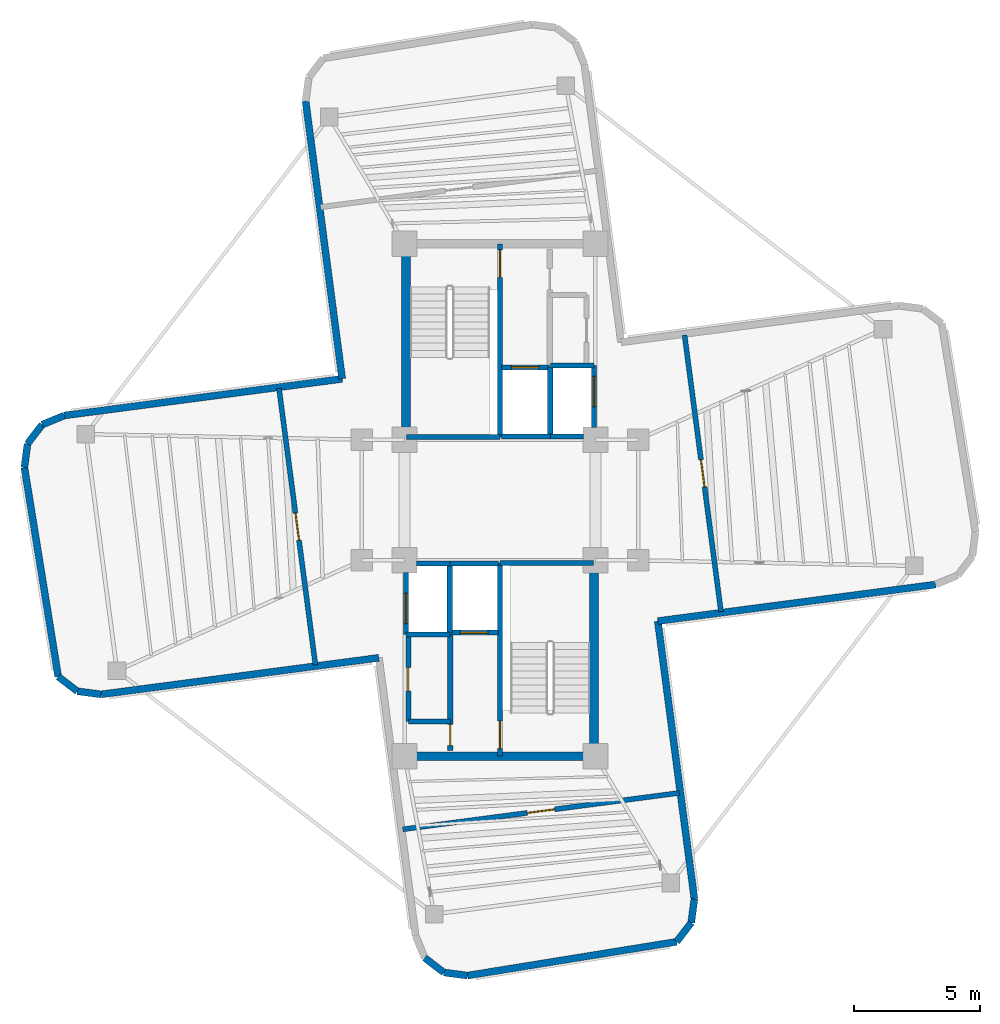
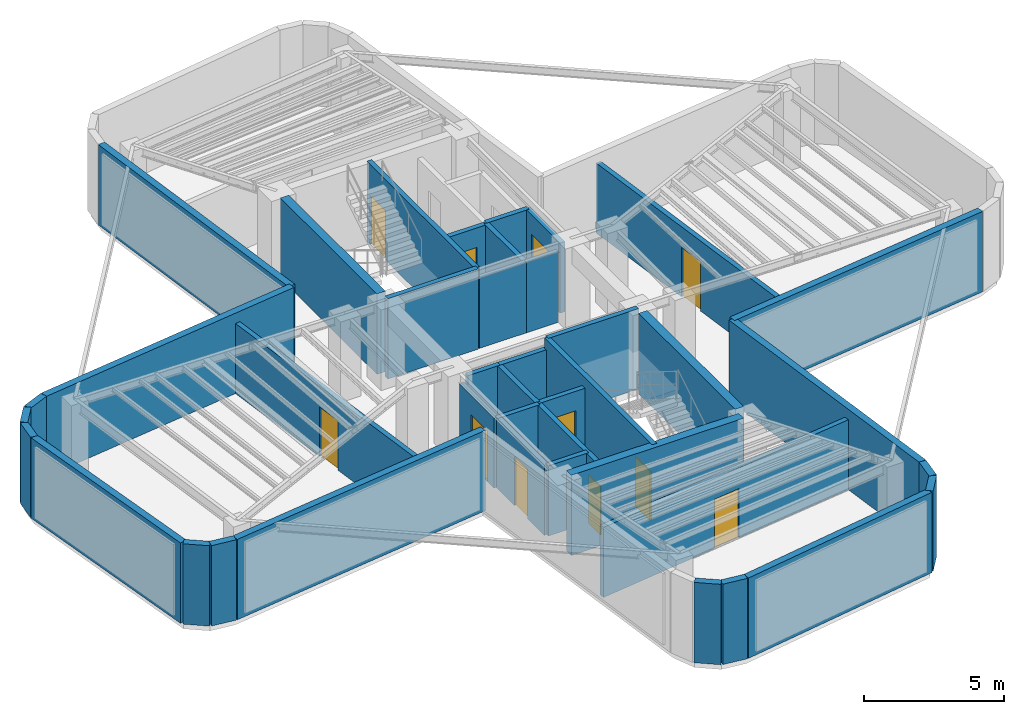
# One storey, part 4 of 6: 41 walls, 11 doors, 11 openings.
"""IFC4 building model written with IfcOpenShell, lengths in metres."""

from ifc_helpers import new_model, si_unit, direction, frame, frame_2d, origin, origin_2d, place, context, subcontext, project, spatial, rectangle, extrude, source, transform, mapped, material, layer, layer_set, type_object, element, fill, save


model = new_model("IFC4")

# Units and contexts
model_context = context("Model", 3, precision=1e-05, world=origin(), true_north=direction((0.0, 1.0)))
body_context = subcontext(model_context, "Body", "Model", "MODEL_VIEW")
ifc_project = project(units=[si_unit("LENGTHUNIT", "METRE"), si_unit("AREAUNIT", "SQUARE_METRE"), si_unit("VOLUMEUNIT", "CUBIC_METRE"), si_unit("PLANEANGLEUNIT", "RADIAN"), si_unit("MASSUNIT", "GRAM", prefix="KILO")], contexts=[model_context])

# Site, building, storey
site_placement = place(None, origin())
site = spatial("IfcSite", under=ifc_project, at=site_placement, CompositionType="ELEMENT")
building_placement = place(site_placement, origin())
building = spatial("IfcBuilding", under=site, at=building_placement, Name="Sahyath Konkavel Grand Hotel", CompositionType="ELEMENT")
storey_placement = place(building_placement, frame((0.0, 0.0, 288.89990234375)))
storey = spatial("IfcBuildingStorey", under=building, at=storey_placement, Name="L80", CompositionType="ELEMENT", Elevation=288.89990234375)

# Walls
ifc_material_1 = material(Name="Concrete C40/50", Category="concrete")
ifc_layer_1 = layer(ifc_material_1, 0.35009765625)
ifc_layer_set_1 = layer_set([ifc_layer_1], Name="Concrete C40/50")
wall_type_1 = type_object("IfcWallType", Name="CWALL-350", PredefinedType="SHEAR", material=ifc_layer_set_1)
wall_1_placement = place(storey_placement, frame((-3.739990234375, 2.85009765625, 0.0), z_axis=(0.0, 0.0, 1.0), x_axis=(0.0, 1.0, 0.0)))
element("IfcWall", 1, at=wall_1_placement, inside=storey, type_object=wall_type_1, Name="L80 North Core Shear Wall W", PredefinedType="SHEAR", context=body_context, shape_type="SweptSolid", body=[
    extrude(rectangle(XDim=6.89990234375, YDim=0.35009765625, at=frame_2d((3.449951171875, 0.0))), origin(), (0.0, 0.0, 1.0), 3.5),
])
wall_2_placement = place(storey_placement, frame((-3.550048828125, -10.199951171875, 0.0), z_axis=(0.0, 0.0, 1.0), x_axis=(1.0, 0.0, 0.0)))
element("IfcWall", 2, at=wall_2_placement, inside=storey, type_object=wall_type_1, Name="L80 South Core Shear Wall S", PredefinedType="SHEAR", context=body_context, shape_type="SweptSolid", body=[
    extrude(rectangle(XDim=7.10009765625, YDim=0.35009765625, at=frame_2d((3.550048828125, 0.0))), origin(), (0.0, 0.0, 1.0), 3.5),
])
wall_3_placement = place(storey_placement, frame((3.739990234375, -9.75, 0.0), z_axis=(0.0, 0.0, 1.0), x_axis=(0.0, 1.0, 0.0)))
element("IfcWall", 3, at=wall_3_placement, inside=storey, type_object=wall_type_1, Name="L80 South Core Shear Wall E", PredefinedType="SHEAR", context=body_context, shape_type="SweptSolid", body=[
    extrude(rectangle(XDim=6.89990234375, YDim=0.35009765625, at=frame_2d((3.449951171875, 0.0))), origin(), (0.0, 0.0, 1.0), 3.5),
])

# Wall, opening, door
ifc_layer_2 = layer(ifc_material_1, 0.199951171875)
ifc_layer_set_2 = layer_set([ifc_layer_2], Name="Concrete C40/50")
wall_type_2 = type_object("IfcWallType", Name="WLL-CORE-200", PredefinedType="SOLIDWALL", material=ifc_layer_set_2)
wall_4_placement = place(storey_placement, frame((0.0, 2.5, 0.0), z_axis=(0.0, 0.0, 1.0), x_axis=(0.0, 1.0, 0.0)))
wall_4 = element("IfcWall", 4, at=wall_4_placement, inside=storey, type_object=wall_type_2, Name="L80 Stair ST-1 Shaft Wall E", PredefinedType="SOLIDWALL", context=body_context, shape_type="SweptSolid", body=[
    extrude(rectangle(XDim=7.679931640625, YDim=0.199951171875, at=frame_2d((3.83984375, 0.0))), origin(), (0.0, 0.0, 1.0), 3.5),
])
opening_1_placement = place(wall_4_placement, frame((6.360107421875, 0.0, 0.0)))
opening_1 = element("IfcOpeningElement", 5, at=opening_1_placement, cuts=wall_4, Name="Opening D-F12B", PredefinedType="OPENING", context=body_context, shape_type="SweptSolid", body=[
    extrude(rectangle(XDim=1.10009765625, YDim=2.14990234375, at=frame_2d((0.550048828125, 1.074951171875))), frame((0.0, 0.10986328125, 0.0), z_axis=(0.0, -1.0, 0.0), x_axis=(1.0, 0.0, 0.0)), (0.0, 0.0, 1.0), 0.219970703125),
])
ifc_material_2 = material(Name="Steel E350 Smokeproof Fire Door", Category="steel")
door_type_1 = type_object("IfcDoorType", Name="DR-FD120-1100", OperationType="NOTDEFINED", PredefinedType="DOOR", material=ifc_material_2)
shared_shape_1 = source(origin(), body_context, "Body", "SweptSolid", [
    extrude(rectangle(XDim=1.10009765625, YDim=0.050048828125, at=origin_2d()), origin(), (0.0, 0.0, 1.0), 2.14990234375),
])
door_1_placement = place(opening_1_placement, frame((0.550048828125, 0.0, 0.0)))
door_1 = element("IfcDoor", 6, at=door_1_placement, inside=storey, type_object=door_type_1, Name="L80 Stair ST-1 Fire Door", OperationType="SINGLE_SWING_RIGHT", OverallHeight=2.14990234375, OverallWidth=1.10009765625, PredefinedType="DOOR", context=body_context, shape_type="MappedRepresentation", body=[
    mapped(shared_shape_1, transform((0.0, 0.0, 0.0), scale=1.0)),
])
fill(opening_1, door_1)

# Wall
wall_5_placement = place(storey_placement, frame((-3.719970703125, 2.5, 0.0), z_axis=(0.0, 0.0, 1.0), x_axis=(1.0, 0.0, 0.0)))
element("IfcWall", 7, at=wall_5_placement, inside=storey, type_object=wall_type_2, Name="L80 Stair ST-1 Shaft Wall S", PredefinedType="SOLIDWALL", context=body_context, shape_type="SweptSolid", body=[
    extrude(rectangle(XDim=3.719970703125, YDim=0.199951171875, at=frame_2d((1.85986328125, 0.0))), origin(), (0.0, 0.0, 1.0), 3.5),
])

# Wall, opening, door
wall_6_placement = place(storey_placement, frame((0.0, -10.179931640625, 0.0), z_axis=(0.0, 0.0, 1.0), x_axis=(0.0, 1.0, 0.0)))
wall_6 = element("IfcWall", 8, at=wall_6_placement, inside=storey, type_object=wall_type_2, Name="L80 Stair ST-2 Shaft Wall W", PredefinedType="SOLIDWALL", context=body_context, shape_type="SweptSolid", body=[
    extrude(rectangle(XDim=7.679931640625, YDim=0.199951171875, at=frame_2d((3.83984375, 0.0))), origin(), (0.0, 0.0, 1.0), 3.5),
])
opening_2_placement = place(wall_6_placement, frame((0.280029296875, 0.0, 0.0)))
opening_2 = element("IfcOpeningElement", 9, at=opening_2_placement, cuts=wall_6, Name="Opening D-F12B", PredefinedType="OPENING", context=body_context, shape_type="SweptSolid", body=[
    extrude(rectangle(XDim=1.10009765625, YDim=2.14990234375, at=frame_2d((0.550048828125, 1.074951171875))), frame((0.0, 0.10986328125, 0.0), z_axis=(0.0, -1.0, 0.0), x_axis=(1.0, 0.0, 0.0)), (0.0, 0.0, 1.0), 0.219970703125),
])
door_2_placement = place(opening_2_placement, frame((0.550048828125, 0.0, 0.0)))
door_2 = element("IfcDoor", 10, at=door_2_placement, inside=storey, type_object=door_type_1, Name="L80 Stair ST-2 Fire Door", OperationType="SINGLE_SWING_LEFT", OverallHeight=2.14990234375, OverallWidth=1.10009765625, PredefinedType="DOOR", context=body_context, shape_type="MappedRepresentation", body=[
    mapped(shared_shape_1, transform((0.0, 0.0, 0.0), scale=1.0)),
])
fill(opening_2, door_2)

# Wall
wall_7_placement = place(storey_placement, frame((0.0, -2.5, 0.0), z_axis=(0.0, 0.0, 1.0), x_axis=(1.0, 0.0, 0.0)))
element("IfcWall", 11, at=wall_7_placement, inside=storey, type_object=wall_type_2, Name="L80 Stair ST-2 Shaft Wall N", PredefinedType="SOLIDWALL", context=body_context, shape_type="SweptSolid", body=[
    extrude(rectangle(XDim=3.719970703125, YDim=0.199951171875, at=frame_2d((1.85986328125, 0.0))), origin(), (0.0, 0.0, 1.0), 3.5),
])

# Wall, opening, door
wall_8_placement = place(storey_placement, frame((-1.97998046875, -9.97998046875, 0.0), z_axis=(0.0, 0.0, 1.0), x_axis=(0.0, 1.0, 0.0)))
wall_8 = element("IfcWall", 12, at=wall_8_placement, inside=storey, type_object=wall_type_2, Name="L80 South Firefighting Lobby Wall W", PredefinedType="SOLIDWALL", context=body_context, shape_type="SweptSolid", body=[
    extrude(rectangle(XDim=4.659912109375, YDim=0.199951171875, at=frame_2d((2.330078125, 0.0))), origin(), (0.0, 0.0, 1.0), 3.050048828125),
])
opening_3_placement = place(wall_8_placement, frame((0.199951171875, 0.0, 0.0)))
opening_3 = element("IfcOpeningElement", 13, at=opening_3_placement, cuts=wall_8, Name="Opening D-F12D", PredefinedType="OPENING", context=body_context, shape_type="SweptSolid", body=[
    extrude(rectangle(XDim=0.85009765625, YDim=2.10009765625, at=frame_2d((0.425048828125, 1.050048828125))), frame((0.0, 0.10986328125, 0.0), z_axis=(0.0, -1.0, 0.0), x_axis=(1.0, 0.0, 0.0)), (0.0, 0.0, 1.0), 0.219970703125),
])
ifc_material_3 = material(Name="Steel E350 Core Fire Door", Category="steel")
door_type_2 = type_object("IfcDoorType", Name="DR-FD120-850", OperationType="NOTDEFINED", PredefinedType="DOOR", material=ifc_material_3)
shared_shape_2 = source(origin(), body_context, "Body", "SweptSolid", [
    extrude(rectangle(XDim=0.85009765625, YDim=0.050048828125, at=origin_2d()), origin(), (0.0, 0.0, 1.0), 2.10009765625),
])
door_3_placement = place(opening_3_placement, frame((0.425048828125, 0.0, 0.0)))
door_3 = element("IfcDoor", 14, at=door_3_placement, inside=storey, type_object=door_type_2, Name="L80 South Firefighting Lobby Door", OperationType="SINGLE_SWING_LEFT", OverallHeight=2.10009765625, OverallWidth=0.85009765625, PredefinedType="DOOR", context=body_context, shape_type="MappedRepresentation", body=[
    mapped(shared_shape_2, transform((0.0, 0.0, 0.0), scale=1.0)),
])
fill(opening_3, door_3)

# Walls
wall_9_placement = place(storey_placement, frame((2.0, 2.5, 0.0), z_axis=(0.0, 0.0, 1.0), x_axis=(0.0, 1.0, 0.0)))
element("IfcWall", 15, at=wall_9_placement, inside=storey, type_object=wall_type_2, Name="L80 Partition SH-FFL1-E", PredefinedType="SOLIDWALL", context=body_context, shape_type="SweptSolid", body=[
    extrude(rectangle(XDim=2.780029296875, YDim=0.199951171875, at=frame_2d((1.39013671875, 0.0))), origin(), (0.0, 0.0, 1.0), 3.050048828125),
])
wall_10_placement = place(storey_placement, frame((0.050048828125, 2.52001953125, 0.0), z_axis=(0.0, 0.0, 1.0), x_axis=(1.0, 0.0, 0.0)))
element("IfcWall", 16, at=wall_10_placement, inside=storey, type_object=wall_type_2, Name="L80 Partition SH-FFL1-S", PredefinedType="SOLIDWALL", context=body_context, shape_type="SweptSolid", body=[
    extrude(rectangle(XDim=1.949951171875, YDim=0.199951171875, at=frame_2d((0.97509765625, 0.0))), origin(), (0.0, 0.0, 1.0), 3.050048828125),
])

# Wall, opening, door
wall_11_placement = place(storey_placement, frame((0.050048828125, 5.280029296875, 0.0), z_axis=(0.0, 0.0, 1.0), x_axis=(1.0, 0.0, 0.0)))
wall_11 = element("IfcWall", 17, at=wall_11_placement, inside=storey, type_object=wall_type_2, Name="L80 Partition SH-FFL1-N", PredefinedType="SOLIDWALL", context=body_context, shape_type="SweptSolid", body=[
    extrude(rectangle(XDim=1.929931640625, YDim=0.199951171875, at=frame_2d((0.96484375, 0.0))), origin(), (0.0, 0.0, 1.0), 3.050048828125),
])
opening_4_placement = place(wall_11_placement, frame((0.39990234375, 0.0, 0.0)))
opening_4 = element("IfcOpeningElement", 18, at=opening_4_placement, cuts=wall_11, Name="Opening LD-11", PredefinedType="OPENING", context=body_context, shape_type="SweptSolid", body=[
    extrude(rectangle(XDim=1.10009765625, YDim=2.199951171875, at=frame_2d((0.550048828125, 1.10009765625))), frame((0.0, 0.10986328125, 0.0), z_axis=(0.0, -1.0, 0.0), x_axis=(1.0, 0.0, 0.0)), (0.0, 0.0, 1.0), 0.219970703125),
])
ifc_material_4 = material(Name="Bronze Lift Landing Door 1100")
door_type_3 = type_object("IfcDoorType", Name="DR-LIFT-1100", OperationType="DOUBLE_DOOR_SLIDING", PredefinedType="DOOR", material=ifc_material_4)
shared_shape_3 = source(origin(), body_context, "Body", "SweptSolid", [
    extrude(rectangle(XDim=1.10009765625, YDim=0.050048828125, at=origin_2d()), origin(), (0.0, 0.0, 1.0), 2.199951171875),
])
door_4_placement = place(opening_4_placement, frame((0.550048828125, 0.0, 0.0)))
door_4 = element("IfcDoor", 19, at=door_4_placement, inside=storey, type_object=door_type_3, Name="L80 Lift FFL-1 Landing Door", OperationType="DOUBLE_DOOR_SLIDING", OverallHeight=2.199951171875, OverallWidth=1.10009765625, PredefinedType="DOOR", context=body_context, shape_type="MappedRepresentation", body=[
    mapped(shared_shape_3, transform((0.0, 0.0, 0.0), scale=1.0)),
])
fill(opening_4, door_4)

# Walls
wall_12_placement = place(storey_placement, frame((-2.0, -5.280029296875, 0.0), z_axis=(0.0, 0.0, 1.0), x_axis=(0.0, 1.0, 0.0)))
element("IfcWall", 20, at=wall_12_placement, inside=storey, type_object=wall_type_2, Name="L80 Partition SH-FFL2-W", PredefinedType="SOLIDWALL", context=body_context, shape_type="SweptSolid", body=[
    extrude(rectangle(XDim=2.780029296875, YDim=0.199951171875, at=frame_2d((1.39013671875, 0.0))), origin(), (0.0, 0.0, 1.0), 3.050048828125),
])
wall_13_placement = place(storey_placement, frame((-2.0, -2.52001953125, 0.0), z_axis=(0.0, 0.0, 1.0), x_axis=(1.0, 0.0, 0.0)))
element("IfcWall", 21, at=wall_13_placement, inside=storey, type_object=wall_type_2, Name="L80 Partition SH-FFL2-N", PredefinedType="SOLIDWALL", context=body_context, shape_type="SweptSolid", body=[
    extrude(rectangle(XDim=1.949951171875, YDim=0.199951171875, at=frame_2d((0.97509765625, 0.0))), origin(), (0.0, 0.0, 1.0), 3.050048828125),
])

# Wall, opening, door
wall_14_placement = place(storey_placement, frame((-1.97998046875, -5.280029296875, 0.0), z_axis=(0.0, 0.0, 1.0), x_axis=(1.0, 0.0, 0.0)))
wall_14 = element("IfcWall", 22, at=wall_14_placement, inside=storey, type_object=wall_type_2, Name="L80 Partition SH-FFL2-S", PredefinedType="SOLIDWALL", context=body_context, shape_type="SweptSolid", body=[
    extrude(rectangle(XDim=1.929931640625, YDim=0.199951171875, at=frame_2d((0.96484375, 0.0))), origin(), (0.0, 0.0, 1.0), 3.050048828125),
])
opening_5_placement = place(wall_14_placement, frame((0.39990234375, 0.0, 0.0)))
opening_5 = element("IfcOpeningElement", 23, at=opening_5_placement, cuts=wall_14, Name="Opening LD-11", PredefinedType="OPENING", context=body_context, shape_type="SweptSolid", body=[
    extrude(rectangle(XDim=1.10009765625, YDim=2.199951171875, at=frame_2d((0.550048828125, 1.10009765625))), frame((0.0, 0.10986328125, 0.0), z_axis=(0.0, -1.0, 0.0), x_axis=(1.0, 0.0, 0.0)), (0.0, 0.0, 1.0), 0.219970703125),
])
door_5_placement = place(opening_5_placement, frame((0.550048828125, 0.0, 0.0)))
door_5 = element("IfcDoor", 24, at=door_5_placement, inside=storey, type_object=door_type_3, Name="L80 Lift FFL-2 Landing Door", OperationType="DOUBLE_DOOR_SLIDING", OverallHeight=2.199951171875, OverallWidth=1.10009765625, PredefinedType="DOOR", context=body_context, shape_type="MappedRepresentation", body=[
    mapped(shared_shape_3, transform((0.0, 0.0, 0.0), scale=1.0)),
])
fill(opening_5, door_5)

# Walls
wall_15_placement = place(storey_placement, frame((2.0, 2.52001953125, 0.0), z_axis=(0.0, 0.0, 1.0), x_axis=(1.0, 0.0, 0.0)))
element("IfcWall", 25, at=wall_15_placement, inside=storey, type_object=wall_type_2, Name="L80 Partition SH-SVL1-S", PredefinedType="SOLIDWALL", context=body_context, shape_type="SweptSolid", body=[
    extrude(rectangle(XDim=1.320068359375, YDim=0.199951171875, at=frame_2d((0.66015625, 0.0))), origin(), (0.0, 0.0, 1.0), 3.050048828125),
])
wall_16_placement = place(storey_placement, frame((2.0, 5.360107421875, 0.0), z_axis=(0.0, 0.0, 1.0), x_axis=(1.0, 0.0, 0.0)))
element("IfcWall", 26, at=wall_16_placement, inside=storey, type_object=wall_type_2, Name="L80 Partition SH-SVL1-N", PredefinedType="SOLIDWALL", context=body_context, shape_type="SweptSolid", body=[
    extrude(rectangle(XDim=1.739990234375, YDim=0.199951171875, at=frame_2d((0.8701171875, 0.0))), origin(), (0.0, 0.0, 1.0), 3.050048828125),
])

# Wall, opening, door
wall_17_placement = place(storey_placement, frame((3.739990234375, 2.8798828125, 0.0), z_axis=(0.0, 0.0, 1.0), x_axis=(0.0, 1.0, 0.0)))
wall_17 = element("IfcWall", 27, at=wall_17_placement, inside=storey, type_object=wall_type_2, Name="L80 Partition SH-SVL1-E", PredefinedType="SOLIDWALL", context=body_context, shape_type="SweptSolid", body=[
    extrude(rectangle(XDim=2.480224609375, YDim=0.199951171875, at=frame_2d((1.240234375, 0.0))), origin(), (0.0, 0.0, 1.0), 3.050048828125),
])
opening_6_placement = place(wall_17_placement, frame((0.840087890625, 0.0, 0.0)))
opening_6 = element("IfcOpeningElement", 28, at=opening_6_placement, cuts=wall_17, Name="Opening LD-12", PredefinedType="OPENING", context=body_context, shape_type="SweptSolid", body=[
    extrude(rectangle(XDim=1.199951171875, YDim=2.199951171875, at=frame_2d((0.60009765625, 1.10009765625))), frame((0.0, 0.10986328125, 0.0), z_axis=(0.0, -1.0, 0.0), x_axis=(1.0, 0.0, 0.0)), (0.0, 0.0, 1.0), 0.219970703125),
])
ifc_material_5 = material(Name="Stainless Steel Lift Landing Door 1200", Category="steel")
door_type_4 = type_object("IfcDoorType", Name="DR-LIFT-1200", OperationType="DOUBLE_DOOR_SLIDING", PredefinedType="DOOR", material=ifc_material_5)
shared_shape_4 = source(origin(), body_context, "Body", "SweptSolid", [
    extrude(rectangle(XDim=1.199951171875, YDim=0.050048828125, at=origin_2d()), origin(), (0.0, 0.0, 1.0), 2.199951171875),
])
door_6_placement = place(opening_6_placement, frame((0.60009765625, 0.0, 0.0)))
door_6 = element("IfcDoor", 29, at=door_6_placement, inside=storey, type_object=door_type_4, Name="L80 Service Lift SVL-1 Landing Door", OperationType="DOUBLE_DOOR_SLIDING", OverallHeight=2.199951171875, OverallWidth=1.199951171875, PredefinedType="DOOR", context=body_context, shape_type="MappedRepresentation", body=[
    mapped(shared_shape_4, transform((0.0, 0.0, 0.0), scale=1.0)),
])
fill(opening_6, door_6)

# Walls
wall_18_placement = place(storey_placement, frame((-3.320068359375, -2.52001953125, 0.0), z_axis=(0.0, 0.0, 1.0), x_axis=(1.0, 0.0, 0.0)))
element("IfcWall", 30, at=wall_18_placement, inside=storey, type_object=wall_type_2, Name="L80 Partition SH-SVL2-N", PredefinedType="SOLIDWALL", context=body_context, shape_type="SweptSolid", body=[
    extrude(rectangle(XDim=1.320068359375, YDim=0.199951171875, at=frame_2d((0.66015625, 0.0))), origin(), (0.0, 0.0, 1.0), 3.050048828125),
])
wall_19_placement = place(storey_placement, frame((-3.739990234375, -5.360107421875, 0.0), z_axis=(0.0, 0.0, 1.0), x_axis=(1.0, 0.0, 0.0)))
element("IfcWall", 31, at=wall_19_placement, inside=storey, type_object=wall_type_2, Name="L80 Partition SH-SVL2-S", PredefinedType="SOLIDWALL", context=body_context, shape_type="SweptSolid", body=[
    extrude(rectangle(XDim=1.739990234375, YDim=0.199951171875, at=frame_2d((0.8701171875, 0.0))), origin(), (0.0, 0.0, 1.0), 3.050048828125),
])

# Wall, opening, door
wall_20_placement = place(storey_placement, frame((-3.739990234375, -5.360107421875, 0.0), z_axis=(0.0, 0.0, 1.0), x_axis=(0.0, 1.0, 0.0)))
wall_20 = element("IfcWall", 32, at=wall_20_placement, inside=storey, type_object=wall_type_2, Name="L80 Partition SH-SVL2-W", PredefinedType="SOLIDWALL", context=body_context, shape_type="SweptSolid", body=[
    extrude(rectangle(XDim=2.480224609375, YDim=0.199951171875, at=frame_2d((1.240234375, 0.0))), origin(), (0.0, 0.0, 1.0), 3.050048828125),
])
opening_7_placement = place(wall_20_placement, frame((0.43994140625, 0.0, 0.0)))
opening_7 = element("IfcOpeningElement", 33, at=opening_7_placement, cuts=wall_20, Name="Opening LD-12", PredefinedType="OPENING", context=body_context, shape_type="SweptSolid", body=[
    extrude(rectangle(XDim=1.199951171875, YDim=2.199951171875, at=frame_2d((0.60009765625, 1.10009765625))), frame((0.0, 0.10986328125, 0.0), z_axis=(0.0, -1.0, 0.0), x_axis=(1.0, 0.0, 0.0)), (0.0, 0.0, 1.0), 0.219970703125),
])
door_7_placement = place(opening_7_placement, frame((0.60009765625, 0.0, 0.0)))
door_7 = element("IfcDoor", 34, at=door_7_placement, inside=storey, type_object=door_type_4, Name="L80 Service Lift SVL-2 Landing Door", OperationType="DOUBLE_DOOR_SLIDING", OverallHeight=2.199951171875, OverallWidth=1.199951171875, PredefinedType="DOOR", context=body_context, shape_type="MappedRepresentation", body=[
    mapped(shared_shape_4, transform((0.0, 0.0, 0.0), scale=1.0)),
])
fill(opening_7, door_7)

wall_21_placement = place(storey_placement, frame((-3.64990234375, -8.81005859375, 0.0), z_axis=(0.0, 0.0, 1.0), x_axis=(0.0, 1.0, 0.0)))
wall_21 = element("IfcWall", 35, at=wall_21_placement, inside=storey, type_object=wall_type_2, Name="L80 Reclaimed South Core Wall W", PredefinedType="SOLIDWALL", context=body_context, shape_type="SweptSolid", body=[
    extrude(rectangle(XDim=3.43017578125, YDim=0.199951171875, at=frame_2d((1.715087890625, 0.0))), origin(), (0.0, 0.0, 1.0), 3.050048828125),
])
opening_8_placement = place(wall_21_placement, frame((1.199951171875, 0.0, 0.0)))
opening_8 = element("IfcOpeningElement", 36, at=opening_8_placement, cuts=wall_21, Name="Opening D-AC95", PredefinedType="OPENING", context=body_context, shape_type="SweptSolid", body=[
    extrude(rectangle(XDim=0.949951171875, YDim=2.14990234375, at=frame_2d((0.47509765625, 1.074951171875))), frame((0.0, 0.10986328125, 0.0), z_axis=(0.0, -1.0, 0.0), x_axis=(1.0, 0.0, 0.0)), (0.0, 0.0, 1.0), 0.219970703125),
])
ifc_material_6 = material(Name="Accessible Washroom Timber Door", Category="wood")
door_type_5 = type_object("IfcDoorType", Name="DR-ACC-950", OperationType="NOTDEFINED", PredefinedType="DOOR", material=ifc_material_6)
shared_shape_5 = source(origin(), body_context, "Body", "SweptSolid", [
    extrude(rectangle(XDim=0.949951171875, YDim=0.050048828125, at=origin_2d()), origin(), (0.0, 0.0, 1.0), 2.14990234375),
])
door_8_placement = place(opening_8_placement, frame((0.47509765625, 0.0, 0.0)))
door_8 = element("IfcDoor", 37, at=door_8_placement, inside=storey, type_object=door_type_5, Name="L80 Door SC-REC1-D", OperationType="SINGLE_SWING_LEFT", OverallHeight=2.14990234375, OverallWidth=0.949951171875, PredefinedType="DOOR", context=body_context, shape_type="MappedRepresentation", body=[
    mapped(shared_shape_5, transform((0.0, 0.0, 0.0), scale=1.0)),
])
fill(opening_8, door_8)

# Wall
wall_22_placement = place(storey_placement, frame((-3.64990234375, -8.81005859375, 0.0), z_axis=(0.0, 0.0, 1.0), x_axis=(1.0, 0.0, 0.0)))
element("IfcWall", 38, at=wall_22_placement, inside=storey, type_object=wall_type_2, Name="L80 Partition SC-REC-S", PredefinedType="SOLIDWALL", context=body_context, shape_type="SweptSolid", body=[
    extrude(rectangle(XDim=1.669921875, YDim=0.199951171875, at=frame_2d((0.8349609375, 0.0))), origin(), (0.0, 0.0, 1.0), 3.050048828125),
])

# Wall, opening, door
wall_23_placement = place(storey_placement, frame((8.794921875, -4.43994140625, 0.0), z_axis=(0.0, 0.0, 1.0), x_axis=(-0.130539856574, 0.991443062332, 0.0)))
wall_23 = element("IfcWall", 39, at=wall_23_placement, inside=storey, type_object=wall_type_2, Name="L80 Partition CP-CTW-IN", PredefinedType="SOLIDWALL", context=body_context, shape_type="SweptSolid", body=[
    extrude(rectangle(XDim=11.099853515625, YDim=0.199951171875, at=frame_2d((5.5498046875, 0.0))), origin(), (0.0, 0.0, 1.0), 3.050048828125),
])
opening_9_placement = place(wall_23_placement, frame((5.0, 0.0, 0.0)))
opening_9 = element("IfcOpeningElement", 40, at=opening_9_placement, cuts=wall_23, Name="Opening D-F12B", PredefinedType="OPENING", context=body_context, shape_type="SweptSolid", body=[
    extrude(rectangle(XDim=1.10009765625, YDim=2.14990234375, at=frame_2d((0.550048828125, 1.074951171875))), frame((0.0, 0.10986328125, 0.0), z_axis=(0.0, -1.0, 0.0), x_axis=(1.0, 0.0, 0.0)), (0.0, 0.0, 1.0), 0.219970703125),
])
door_9_placement = place(opening_9_placement, frame((0.550048828125, 0.0, 0.0)))
door_9 = element("IfcDoor", 41, at=door_9_placement, inside=storey, type_object=door_type_1, Name="L80 Door CP-CTW-D", OperationType="SINGLE_SWING_RIGHT", OverallHeight=2.14990234375, OverallWidth=1.10009765625, PredefinedType="DOOR", context=body_context, shape_type="MappedRepresentation", body=[
    mapped(shared_shape_1, transform((0.0, 0.0, 0.0), scale=1.0)),
])
fill(opening_9, door_9)

wall_24_placement = place(storey_placement, frame((-8.794921875, 4.43994140625, 0.0), z_axis=(0.0, 0.0, 1.0), x_axis=(0.130539856574, -0.991443062332, 0.0)))
wall_24 = element("IfcWall", 42, at=wall_24_placement, inside=storey, type_object=wall_type_2, Name="L80 Partition CP-FWT-IN", PredefinedType="SOLIDWALL", context=body_context, shape_type="SweptSolid", body=[
    extrude(rectangle(XDim=11.099853515625, YDim=0.199951171875, at=frame_2d((5.5498046875, 0.0))), origin(), (0.0, 0.0, 1.0), 3.050048828125),
])
opening_10_placement = place(wall_24_placement, frame((5.0, 0.0, 0.0)))
opening_10 = element("IfcOpeningElement", 43, at=opening_10_placement, cuts=wall_24, Name="Opening D-F12B", PredefinedType="OPENING", context=body_context, shape_type="SweptSolid", body=[
    extrude(rectangle(XDim=1.10009765625, YDim=2.14990234375, at=frame_2d((0.550048828125, 1.074951171875))), frame((0.0, 0.10986328125, 0.0), z_axis=(0.0, -1.0, 0.0), x_axis=(1.0, 0.0, 0.0)), (0.0, 0.0, 1.0), 0.219970703125),
])
door_10_placement = place(opening_10_placement, frame((0.550048828125, 0.0, 0.0)))
door_10 = element("IfcDoor", 44, at=door_10_placement, inside=storey, type_object=door_type_1, Name="L80 Door CP-FWT-D", OperationType="SINGLE_SWING_LEFT", OverallHeight=2.14990234375, OverallWidth=1.10009765625, PredefinedType="DOOR", context=body_context, shape_type="MappedRepresentation", body=[
    mapped(shared_shape_1, transform((0.0, 0.0, 0.0), scale=1.0)),
])
fill(opening_10, door_10)

wall_25_placement = place(storey_placement, frame((-3.872314453125, -13.107666015625, 0.0), z_axis=(0.0, 0.0, 1.0), x_axis=(0.991443437127, 0.130537009991, 0.0)))
wall_25 = element("IfcWall", 45, at=wall_25_placement, inside=storey, type_object=wall_type_2, Name="L80 Partition CP-SWG-IN", PredefinedType="SOLIDWALL", context=body_context, shape_type="SweptSolid", body=[
    extrude(rectangle(XDim=11.10009765625, YDim=0.199951171875, at=frame_2d((5.550048828125, 0.0))), origin(), (0.0, 0.0, 1.0), 3.050048828125),
])
opening_11_placement = place(wall_25_placement, frame((5.0, 0.0, 0.0)))
opening_11 = element("IfcOpeningElement", 46, at=opening_11_placement, cuts=wall_25, Name="Opening D-F12B", PredefinedType="OPENING", context=body_context, shape_type="SweptSolid", body=[
    extrude(rectangle(XDim=1.10009765625, YDim=2.14990234375, at=frame_2d((0.550048828125, 1.074951171875))), frame((0.0, 0.10986328125, 0.0), z_axis=(0.0, -1.0, 0.0), x_axis=(1.0, 0.0, 0.0)), (0.0, 0.0, 1.0), 0.219970703125),
])
door_11_placement = place(opening_11_placement, frame((0.550048828125, 0.0, 0.0)))
door_11 = element("IfcDoor", 47, at=door_11_placement, inside=storey, type_object=door_type_1, Name="L80 Door CP-SWG-D", OperationType="SINGLE_SWING_LEFT", OverallHeight=2.14990234375, OverallWidth=1.10009765625, PredefinedType="DOOR", context=body_context, shape_type="MappedRepresentation", body=[
    mapped(shared_shape_1, transform((0.0, 0.0, 0.0), scale=1.0)),
])
fill(opening_11, door_11)

# Walls
ifc_material_7 = material(Name="Warm Buff Sandstone Insulated Concrete C40/50", Category="masonry")
ifc_layer_3 = layer(ifc_material_7, 0.280029296875)
ifc_layer_set_3 = layer_set([ifc_layer_3], Name="Warm Buff Sandstone Insulated Concrete C40/50")
wall_type_3 = type_object("IfcWallType", Name="WLL-CROWN-CLAD", PredefinedType="SOLIDWALL", material=ifc_layer_set_3)
for number, where, z_axis, x_axis, name in (
    (48, (6.282958984375, -4.821044921875, 0.0), (0.0, 0.0, 1.0), (0.991445499165, 0.130521347626, 0.0), "L80 Crown Sandstone & Acoustic Louvre Wall 0"),
    (49, (-7.73828125, 15.875732421875, 0.0), (0.0, 0.0, 1.0), (0.130521347626, -0.991445499165, 0.0), "L80 Crown Sandstone & Acoustic Louvre Wall 15"),
    (50, (-6.282958984375, 4.821044921875, 0.0), (0.0, 0.0, 1.0), (-0.991445499165, -0.130521347626, 0.0), "L80 Crown Sandstone & Acoustic Louvre Wall 16"),
):
    element("IfcWall", number, at=place(storey_placement, frame(where, z_axis=z_axis, x_axis=x_axis)), inside=storey, type_object=wall_type_3, Name=name, PredefinedType="SOLIDWALL", context=body_context, shape_type="SweptSolid", body=[
        extrude(rectangle(XDim=11.150146484375, YDim=0.280029296875, at=frame_2d((5.5751953125, 0.0))), origin(), (0.0, 0.0, 1.0), 3.5),
    ])
for number, where, z_axis, x_axis, name in (
    (51, (-17.337646484375, 3.36572265625, 0.0), (0.0, 0.0, 1.0), (-0.923889442397, -0.382659506909, 0.0), "L80 Crown Sandstone & Acoustic Louvre Wall 17"),
    (52, (-18.222412109375, 2.999267578125, 0.0), (0.0, 0.0, 1.0), (-0.608774010809, -0.793343685778, 0.0), "L80 Crown Sandstone & Acoustic Louvre Wall 18"),
    (53, (-18.805419921875, 2.239501953125, 0.0), (0.0, 0.0, 1.0), (-0.130527053476, -0.991444747987, 0.0), "L80 Crown Sandstone & Acoustic Louvre Wall 19"),
):
    element("IfcWall", number, at=place(storey_placement, frame(where, z_axis=z_axis, x_axis=x_axis)), inside=storey, type_object=wall_type_3, Name=name, PredefinedType="SOLIDWALL", context=body_context, shape_type="SweptSolid", body=[
        extrude(rectangle(XDim=0.957763671875, YDim=0.280029296875, at=frame_2d((0.47900390625, 0.0))), origin(), (0.0, 0.0, 1.0), 3.5),
    ])
wall_26_placement = place(storey_placement, frame((-18.930419921875, 1.2900390625, 0.0), z_axis=(0.0, 0.0, 1.0), x_axis=(0.159629483961, -0.987176999251, 0.0)))
element("IfcWall", 54, at=wall_26_placement, inside=storey, type_object=wall_type_3, Name="L80 Crown Sandstone & Acoustic Louvre Wall 20", PredefinedType="SOLIDWALL", context=body_context, shape_type="SweptSolid", body=[
    extrude(rectangle(XDim=8.4287109375, YDim=0.280029296875, at=frame_2d((4.21435546875, 0.0))), origin(), (0.0, 0.0, 1.0), 3.5),
])
wall_27_placement = place(storey_placement, frame((-17.5849609375, -7.030517578125, 0.0), z_axis=(0.0, 0.0, 1.0), x_axis=(0.793466811674, -0.60861352168, 0.0)))
element("IfcWall", 55, at=wall_27_placement, inside=storey, type_object=wall_type_3, Name="L80 Crown Sandstone & Acoustic Louvre Wall 21", PredefinedType="SOLIDWALL", context=body_context, shape_type="SweptSolid", body=[
    extrude(rectangle(XDim=0.95751953125, YDim=0.280029296875, at=frame_2d((0.478759765625, 0.0))), origin(), (0.0, 0.0, 1.0), 3.5),
])
wall_28_placement = place(storey_placement, frame((-16.8251953125, -7.61328125, 0.0), z_axis=(0.0, 0.0, 1.0), x_axis=(0.991444747987, -0.130527053476, 0.0)))
element("IfcWall", 56, at=wall_28_placement, inside=storey, type_object=wall_type_3, Name="L80 Crown Sandstone & Acoustic Louvre Wall 22", PredefinedType="SOLIDWALL", context=body_context, shape_type="SweptSolid", body=[
    extrude(rectangle(XDim=0.957763671875, YDim=0.280029296875, at=frame_2d((0.47900390625, 0.0))), origin(), (0.0, 0.0, 1.0), 3.5),
])
wall_29_placement = place(storey_placement, frame((-15.875732421875, -7.73828125, 0.0), z_axis=(0.0, 0.0, 1.0), x_axis=(0.991445499165, 0.130521347626, 0.0)))
element("IfcWall", 57, at=wall_29_placement, inside=storey, type_object=wall_type_3, Name="L80 Crown Sandstone & Acoustic Louvre Wall 23", PredefinedType="SOLIDWALL", context=body_context, shape_type="SweptSolid", body=[
    extrude(rectangle(XDim=11.150146484375, YDim=0.280029296875, at=frame_2d((5.5751953125, 0.0))), origin(), (0.0, 0.0, 1.0), 3.5),
])
for number, where, z_axis, x_axis, name in (
    (58, (-2.999267578125, -18.222412109375, 0.0), (0.0, 0.0, 1.0), (0.793343685778, -0.608774010809, 0.0), "L80 Crown Sandstone & Acoustic Louvre Wall 26"),
    (59, (-2.239501953125, -18.805419921875, 0.0), (0.0, 0.0, 1.0), (0.991444747987, -0.130527053476, 0.0), "L80 Crown Sandstone & Acoustic Louvre Wall 27"),
):
    element("IfcWall", number, at=place(storey_placement, frame(where, z_axis=z_axis, x_axis=x_axis)), inside=storey, type_object=wall_type_3, Name=name, PredefinedType="SOLIDWALL", context=body_context, shape_type="SweptSolid", body=[
        extrude(rectangle(XDim=0.957763671875, YDim=0.280029296875, at=frame_2d((0.47900390625, 0.0))), origin(), (0.0, 0.0, 1.0), 3.5),
    ])
wall_30_placement = place(storey_placement, frame((-1.2900390625, -18.930419921875, 0.0), z_axis=(0.0, 0.0, 1.0), x_axis=(0.987176999251, 0.159629483961, 0.0)))
element("IfcWall", 60, at=wall_30_placement, inside=storey, type_object=wall_type_3, Name="L80 Crown Sandstone & Acoustic Louvre Wall 28", PredefinedType="SOLIDWALL", context=body_context, shape_type="SweptSolid", body=[
    extrude(rectangle(XDim=8.4287109375, YDim=0.280029296875, at=frame_2d((4.21435546875, 0.0))), origin(), (0.0, 0.0, 1.0), 3.5),
])
wall_31_placement = place(storey_placement, frame((7.030517578125, -17.5849609375, 0.0), z_axis=(0.0, 0.0, 1.0), x_axis=(0.60861352168, 0.793466811674, 0.0)))
element("IfcWall", 61, at=wall_31_placement, inside=storey, type_object=wall_type_3, Name="L80 Crown Sandstone & Acoustic Louvre Wall 29", PredefinedType="SOLIDWALL", context=body_context, shape_type="SweptSolid", body=[
    extrude(rectangle(XDim=0.95751953125, YDim=0.280029296875, at=frame_2d((0.478759765625, 0.0))), origin(), (0.0, 0.0, 1.0), 3.5),
])
wall_32_placement = place(storey_placement, frame((7.61328125, -16.8251953125, 0.0), z_axis=(0.0, 0.0, 1.0), x_axis=(0.130527053476, 0.991444747987, 0.0)))
element("IfcWall", 62, at=wall_32_placement, inside=storey, type_object=wall_type_3, Name="L80 Crown Sandstone & Acoustic Louvre Wall 30", PredefinedType="SOLIDWALL", context=body_context, shape_type="SweptSolid", body=[
    extrude(rectangle(XDim=0.957763671875, YDim=0.280029296875, at=frame_2d((0.47900390625, 0.0))), origin(), (0.0, 0.0, 1.0), 3.5),
])
wall_33_placement = place(storey_placement, frame((7.73828125, -15.875732421875, 0.0), z_axis=(0.0, 0.0, 1.0), x_axis=(-0.130521347626, 0.991445499165, 0.0)))
element("IfcWall", 63, at=wall_33_placement, inside=storey, type_object=wall_type_3, Name="L80 Crown Sandstone & Acoustic Louvre Wall 31", PredefinedType="SOLIDWALL", context=body_context, shape_type="SweptSolid", body=[
    extrude(rectangle(XDim=11.150146484375, YDim=0.280029296875, at=frame_2d((5.5751953125, 0.0))), origin(), (0.0, 0.0, 1.0), 3.5),
])

save(model, "model.ifc")
